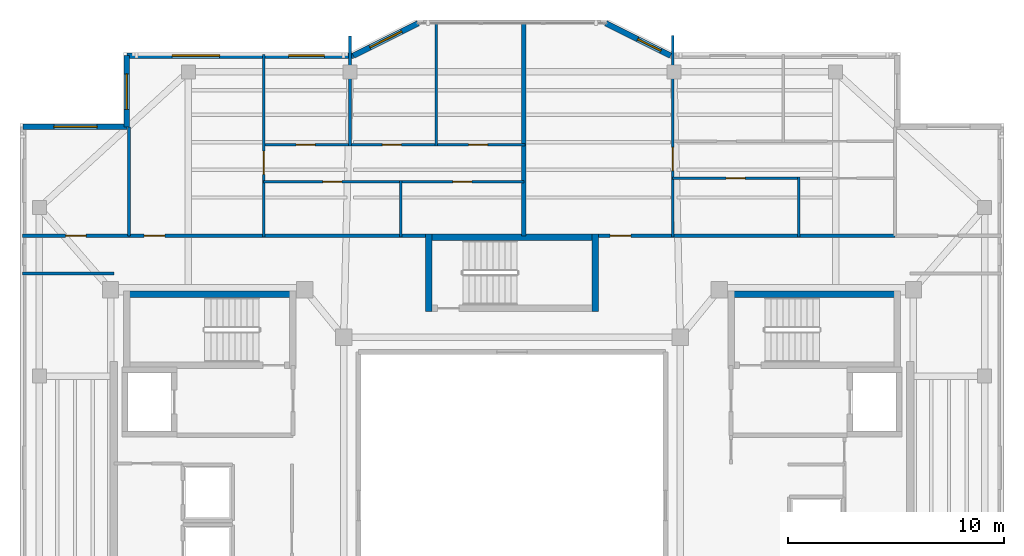
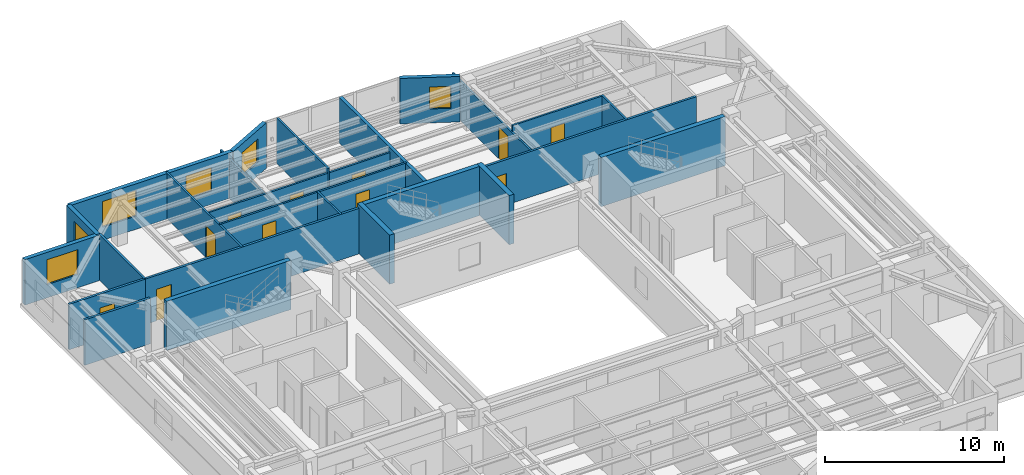
# One storey, part 9 of 13: 26 walls, 11 doors, 6 windows, 17 openings.
"""IFC4 building model written with IfcOpenShell, lengths in metres."""

from ifc_helpers import new_model, si_unit, direction, frame, frame_2d, origin, place, context, subcontext, project, spatial, rectangle, extrude, material, layer, layer_set, type_object, element, fill, save


model = new_model("IFC4")

# Units and contexts
model_context = context("Model", 3, precision=1e-05, world=origin(), true_north=direction((0.0, 1.0)))
body_context = subcontext(model_context, "Body", "Model", "MODEL_VIEW")
ifc_project = project(units=[si_unit("LENGTHUNIT", "METRE"), si_unit("AREAUNIT", "SQUARE_METRE"), si_unit("VOLUMEUNIT", "CUBIC_METRE"), si_unit("PLANEANGLEUNIT", "RADIAN"), si_unit("MASSUNIT", "GRAM", prefix="KILO")], contexts=[model_context])

# Site, building, storey
site_placement = place(None, origin())
site = spatial("IfcSite", under=ifc_project, at=site_placement, CompositionType="ELEMENT")
building_placement = place(site_placement, origin())
building = spatial("IfcBuilding", under=site, at=building_placement, Name="Tarnavaz Court Tower", CompositionType="ELEMENT")
storey_placement = place(building_placement, frame((0.0, 0.0, 251.550048828125)))
storey = spatial("IfcBuildingStorey", under=building, at=storey_placement, Name="L68", CompositionType="ELEMENT", Elevation=251.550048828125)

# Walls
ifc_material_1 = material(Name="Concrete C50/60", Category="concrete")
ifc_layer_1 = layer(ifc_material_1, 0.300048828125)
ifc_layer_set_1 = layer_set([ifc_layer_1], Name="Concrete C50/60")
wall_type_1 = type_object("IfcWallType", Name="WL-CORE-300-C50", PredefinedType="SHEAR", material=ifc_layer_set_1)
for number, where, z_axis, x_axis, name in (
    (1, (-18.0, 9.7900390625, 0.0), (0.0, 0.0, 1.0), (1.0, 0.0, 0.0), "L68 West Stair Core Wall 001"),
    (2, (10.0, 9.7900390625, 0.0), (0.0, 0.0, 1.0), (1.0, 0.0, 0.0), "L68 East Stair Core Wall 005"),
    (3, (-4.0, 12.43994140625, 0.0), (0.0, 0.0, 1.0), (1.0, 0.0, 0.0), "L68 North Stair Core Wall 009"),
):
    element("IfcWall", number, at=place(storey_placement, frame(where, z_axis=z_axis, x_axis=x_axis)), inside=storey, type_object=wall_type_1, Name=name, PredefinedType="SHEAR", context=body_context, shape_type="SweptSolid", body=[
        extrude(rectangle(XDim=8.0, YDim=0.300048828125, at=frame_2d((4.0, 0.0))), origin(), (0.0, 0.0, 1.0), 3.349853515625),
    ])
for number, where, z_axis, x_axis, name in (
    (4, (-3.85009765625, 9.0, 0.0), (0.0, 0.0, 1.0), (0.0, 1.0, 0.0), "L68 North Stair Core Wall 011"),
    (5, (3.85009765625, 9.0, 0.0), (0.0, 0.0, 1.0), (0.0, 1.0, 0.0), "L68 North Stair Core Wall 012"),
):
    element("IfcWall", number, at=place(storey_placement, frame(where, z_axis=z_axis, x_axis=x_axis)), inside=storey, type_object=wall_type_1, Name=name, PredefinedType="SHEAR", context=body_context, shape_type="SweptSolid", body=[
        extrude(rectangle(XDim=3.590087890625, YDim=0.300048828125, at=frame_2d((1.794921875, 0.0))), origin(), (0.0, 0.0, 1.0), 3.349853515625),
    ])

# Wall, opening, window
ifc_material_2 = material(Name="Precast Concrete C40/50", Category="concrete")
ifc_layer_2 = layer(ifc_material_2, 0.260009765625)
ifc_layer_set_2 = layer_set([ifc_layer_2], Name="Precast Concrete C40/50")
wall_type_2 = type_object("IfcWallType", Name="WL-EXT-260", PredefinedType="SOLIDWALL", material=ifc_layer_set_2)
wall_1_placement = place(storey_placement, frame((-22.64990234375, 17.550048828125, 0.0), z_axis=(0.0, 0.0, 1.0), x_axis=(1.0, 0.0, 0.0)))
wall_1 = element("IfcWall", 6, at=wall_1_placement, inside=storey, type_object=wall_type_2, Name="L68 Exterior Terracotta Facade Wall 03", PredefinedType="SOLIDWALL", context=body_context, shape_type="SweptSolid", body=[
    extrude(rectangle(XDim=4.7998046875, YDim=0.260009765625, at=frame_2d((2.39990234375, 0.0))), origin(), (0.0, 0.0, 1.0), 3.099853515625),
])
opening_1_placement = place(wall_1_placement, frame((1.42529296875, 0.0, 0.89990234375)))
opening_1 = element("IfcOpeningElement", 7, at=opening_1_placement, cuts=wall_1, Name="Opening W08", PredefinedType="OPENING", context=body_context, shape_type="SweptSolid", body=[
    extrude(rectangle(XDim=2.0, YDim=1.699951171875, at=frame_2d((1.0, 0.85009765625))), frame((0.0, 0.139892578125, 0.0), z_axis=(0.0, -1.0, 0.0), x_axis=(1.0, 0.0, 0.0)), (0.0, 0.0, 1.0), 0.280029296875),
])
ifc_material_3 = material(Name="Double-Glazed Solar Low-E Glass", Category="glass")
window_type_1 = type_object("IfcWindowType", Name="WN-APT-2000", PartitioningType="DOUBLE_PANEL_VERTICAL", PredefinedType="WINDOW", material=ifc_material_3)
window_1_placement = place(opening_1_placement, origin())
window_1 = element("IfcWindow", 8, at=window_1_placement, inside=storey, type_object=window_type_1, Name="L68 North-West Corner Sunroom Study Window", OverallHeight=1.699951171875, OverallWidth=2.0, PartitioningType="SINGLE_PANEL", PredefinedType="WINDOW", context=body_context, shape_type="SweptSolid", body=[
    extrude(rectangle(XDim=2.0, YDim=1.699951171875, at=frame_2d((1.0, 0.85009765625))), frame((0.0, 0.030029296875, 0.0), z_axis=(0.0, -1.0, 0.0), x_axis=(1.0, 0.0, 0.0)), (0.0, 0.0, 1.0), 0.06005859375),
])
fill(opening_1, window_1)

wall_2_placement = place(storey_placement, frame((-17.85009765625, 17.550048828125, 0.0), z_axis=(0.0, 0.0, 1.0), x_axis=(0.0, 1.0, 0.0)))
wall_2 = element("IfcWall", 9, at=wall_2_placement, inside=storey, type_object=wall_type_2, Name="L68 Exterior Terracotta Facade Wall 04", PredefinedType="SOLIDWALL", context=body_context, shape_type="SweptSolid", body=[
    extrude(rectangle(XDim=3.300048828125, YDim=0.260009765625, at=frame_2d((1.64990234375, 0.0))), origin(), (0.0, 0.0, 1.0), 3.099853515625),
])
opening_2_placement = place(wall_2_placement, frame((0.8076171875, 0.0, 0.89990234375)))
opening_2 = element("IfcOpeningElement", 10, at=opening_2_placement, cuts=wall_2, Name="Opening W02", PredefinedType="OPENING", context=body_context, shape_type="SweptSolid", body=[
    extrude(rectangle(XDim=1.64990234375, YDim=1.60009765625, at=frame_2d((0.824951171875, 0.800048828125))), frame((0.0, 0.139892578125, 0.0), z_axis=(0.0, -1.0, 0.0), x_axis=(1.0, 0.0, 0.0)), (0.0, 0.0, 1.0), 0.280029296875),
])
window_type_2 = type_object("IfcWindowType", Name="WN-APT-1650", PartitioningType="DOUBLE_PANEL_VERTICAL", PredefinedType="WINDOW", material=ifc_material_3)
window_2_placement = place(opening_2_placement, origin())
window_2 = element("IfcWindow", 11, at=window_2_placement, inside=storey, type_object=window_type_2, Name="L68 Flat 01 Living and Dining Room Window", OverallHeight=1.60009765625, OverallWidth=1.64990234375, PartitioningType="SINGLE_PANEL", PredefinedType="WINDOW", context=body_context, shape_type="SweptSolid", body=[
    extrude(rectangle(XDim=1.64990234375, YDim=1.60009765625, at=frame_2d((0.824951171875, 0.800048828125))), frame((0.0, 0.030029296875, 0.0), z_axis=(0.0, -1.0, 0.0), x_axis=(1.0, 0.0, 0.0)), (0.0, 0.0, 1.0), 0.06005859375),
])
fill(opening_2, window_2)

# Wall, openings, windows
wall_3_placement = place(storey_placement, frame((-17.85009765625, 20.85009765625, 0.0), z_axis=(0.0, 0.0, 1.0), x_axis=(1.0, 0.0, 0.0)))
wall_3 = element("IfcWall", 12, at=wall_3_placement, inside=storey, type_object=wall_type_2, Name="L68 Exterior Terracotta Facade Wall 05", PredefinedType="SOLIDWALL", context=body_context, shape_type="SweptSolid", body=[
    extrude(rectangle(XDim=10.5, YDim=0.260009765625, at=frame_2d((5.25, 0.0))), origin(), (0.0, 0.0, 1.0), 3.099853515625),
])
opening_3_placement = place(wall_3_placement, frame((2.10009765625, 0.0, 0.89990234375)))
opening_3 = element("IfcOpeningElement", 13, at=opening_3_placement, cuts=wall_3, Name="Opening W07", PredefinedType="OPENING", context=body_context, shape_type="SweptSolid", body=[
    extrude(rectangle(XDim=2.199951171875, YDim=1.75, at=frame_2d((1.10009765625, 0.875))), frame((0.0, 0.139892578125, 0.0), z_axis=(0.0, -1.0, 0.0), x_axis=(1.0, 0.0, 0.0)), (0.0, 0.0, 1.0), 0.280029296875),
])
opening_4_placement = place(wall_3_placement, frame((7.5, 0.0, 0.89990234375)))
opening_4 = element("IfcOpeningElement", 14, at=opening_4_placement, cuts=wall_3, Name="Opening W02", PredefinedType="OPENING", context=body_context, shape_type="SweptSolid", body=[
    extrude(rectangle(XDim=1.64990234375, YDim=1.60009765625, at=frame_2d((0.824951171875, 0.800048828125))), frame((0.0, 0.139892578125, 0.0), z_axis=(0.0, -1.0, 0.0), x_axis=(1.0, 0.0, 0.0)), (0.0, 0.0, 1.0), 0.280029296875),
])
window_3_placement = place(opening_4_placement, origin())
window_3 = element("IfcWindow", 15, at=window_3_placement, inside=storey, type_object=window_type_2, Name="L68 Flat 01 Principal Bedroom Window", OverallHeight=1.60009765625, OverallWidth=1.64990234375, PartitioningType="SINGLE_PANEL", PredefinedType="WINDOW", context=body_context, shape_type="SweptSolid", body=[
    extrude(rectangle(XDim=1.64990234375, YDim=1.60009765625, at=frame_2d((0.824951171875, 0.800048828125))), frame((0.0, 0.030029296875, 0.0), z_axis=(0.0, -1.0, 0.0), x_axis=(1.0, 0.0, 0.0)), (0.0, 0.0, 1.0), 0.06005859375),
])
fill(opening_4, window_3)
window_type_3 = type_object("IfcWindowType", Name="WN-APT-2200", PartitioningType="TRIPLE_PANEL_VERTICAL", PredefinedType="WINDOW", material=ifc_material_3)
window_4_placement = place(opening_3_placement, origin())
window_4 = element("IfcWindow", 16, at=window_4_placement, inside=storey, type_object=window_type_3, Name="L68 Flat 01 Living and Dining Room Window", OverallHeight=1.75, OverallWidth=2.199951171875, PartitioningType="SINGLE_PANEL", PredefinedType="WINDOW", context=body_context, shape_type="SweptSolid", body=[
    extrude(rectangle(XDim=2.199951171875, YDim=1.75, at=frame_2d((1.10009765625, 0.875))), frame((0.0, 0.030029296875, 0.0), z_axis=(0.0, -1.0, 0.0), x_axis=(1.0, 0.0, 0.0)), (0.0, 0.0, 1.0), 0.06005859375),
])
fill(opening_3, window_4)

# Wall, opening, window
wall_4_placement = place(storey_placement, frame((-7.35009765625, 20.85009765625, 0.0), z_axis=(0.0, 0.0, 1.0), x_axis=(0.894427191, 0.4472135955, 0.0)))
wall_4 = element("IfcWall", 17, at=wall_4_placement, inside=storey, type_object=wall_type_2, Name="L68 Exterior Terracotta Facade Wall 06", PredefinedType="SOLIDWALL", context=body_context, shape_type="SweptSolid", body=[
    extrude(rectangle(XDim=3.35400390625, YDim=0.260009765625, at=frame_2d((1.677001953125, 0.0))), origin(), (0.0, 0.0, 1.0), 3.099853515625),
])
opening_5_placement = place(wall_4_placement, frame((0.85205078125, 0.0, 0.89990234375)))
opening_5 = element("IfcOpeningElement", 18, at=opening_5_placement, cuts=wall_4, Name="Opening W02", PredefinedType="OPENING", context=body_context, shape_type="SweptSolid", body=[
    extrude(rectangle(XDim=1.64990234375, YDim=1.60009765625, at=frame_2d((0.824951171875, 0.800048828125))), frame((0.0, 0.139892578125, 0.0), z_axis=(0.0, -1.0, 0.0), x_axis=(1.0, 0.0, 0.0)), (0.0, 0.0, 1.0), 0.280029296875),
])
window_5_placement = place(opening_5_placement, origin())
window_5 = element("IfcWindow", 19, at=window_5_placement, inside=storey, type_object=window_type_2, Name="L68 Flat 01 Bedroom 2 Window", OverallHeight=1.60009765625, OverallWidth=1.64990234375, PartitioningType="SINGLE_PANEL", PredefinedType="WINDOW", context=body_context, shape_type="SweptSolid", body=[
    extrude(rectangle(XDim=1.64990234375, YDim=1.60009765625, at=frame_2d((0.824951171875, 0.800048828125))), frame((0.0, 0.030029296875, 0.0), z_axis=(0.0, -1.0, 0.0), x_axis=(1.0, 0.0, 0.0)), (0.0, 0.0, 1.0), 0.06005859375),
])
fill(opening_5, window_5)

wall_5_placement = place(storey_placement, frame((4.35009765625, 22.35009765625, 0.0), z_axis=(0.0, 0.0, 1.0), x_axis=(0.894427191, -0.4472135955, 0.0)))
wall_5 = element("IfcWall", 20, at=wall_5_placement, inside=storey, type_object=wall_type_2, Name="L68 Exterior Terracotta Facade Wall 08", PredefinedType="SOLIDWALL", context=body_context, shape_type="SweptSolid", body=[
    extrude(rectangle(XDim=3.35400390625, YDim=0.260009765625, at=frame_2d((1.677001953125, 0.0))), origin(), (0.0, 0.0, 1.0), 3.099853515625),
])
opening_6_placement = place(wall_5_placement, frame((1.65283203125, 0.0, 0.949951171875)))
opening_6 = element("IfcOpeningElement", 21, at=opening_6_placement, cuts=wall_5, Name="Opening W05", PredefinedType="OPENING", context=body_context, shape_type="SweptSolid", body=[
    extrude(rectangle(XDim=1.199951171875, YDim=1.5, at=frame_2d((0.60009765625, 0.75))), frame((0.0, 0.139892578125, 0.0), z_axis=(0.0, -1.0, 0.0), x_axis=(1.0, 0.0, 0.0)), (0.0, 0.0, 1.0), 0.280029296875),
])
window_type_4 = type_object("IfcWindowType", Name="WN-APT-1200", PartitioningType="SINGLE_PANEL", PredefinedType="WINDOW", material=ifc_material_3)
window_6_placement = place(opening_6_placement, origin())
window_6 = element("IfcWindow", 22, at=window_6_placement, inside=storey, type_object=window_type_4, Name="L68 Flat 02 Living and Dining Room Window", OverallHeight=1.5, OverallWidth=1.199951171875, PartitioningType="SINGLE_PANEL", PredefinedType="WINDOW", context=body_context, shape_type="SweptSolid", body=[
    extrude(rectangle(XDim=1.199951171875, YDim=1.5, at=frame_2d((0.60009765625, 0.75))), frame((0.0, 0.030029296875, 0.0), z_axis=(0.0, -1.0, 0.0), x_axis=(1.0, 0.0, 0.0)), (0.0, 0.0, 1.0), 0.06005859375),
])
fill(opening_6, window_6)

# Wall, opening, door
ifc_material_4 = material(Name="Gypsum Fire-Board on Acoustic Metal Stud", Category="masonry")
ifc_layer_3 = layer(ifc_material_4, 0.14990234375)
ifc_layer_set_3 = layer_set([ifc_layer_3], Name="Gypsum Fire-Board on Acoustic Metal Stud")
wall_type_3 = type_object("IfcWallType", Name="WL-FIRE-150", PredefinedType="PARTITIONING", material=ifc_layer_set_3)
wall_6_placement = place(storey_placement, frame((-17.75, 12.5, 0.0), z_axis=(0.0, 0.0, 1.0), x_axis=(1.0, 0.0, 0.0)))
wall_6 = element("IfcWall", 23, at=wall_6_placement, inside=storey, type_object=wall_type_3, Name="L68 NW Wing Corridor Wall 056", PredefinedType="PARTITIONING", context=body_context, shape_type="SweptSolid", body=[
    extrude(rectangle(XDim=13.89990234375, YDim=0.14990234375, at=frame_2d((6.949951171875, 0.0))), origin(), (0.0, 0.0, 1.0), 3.099853515625),
])
opening_7_placement = place(wall_6_placement, frame((0.699951171875, 0.0, 0.0)))
opening_7 = element("IfcOpeningElement", 24, at=opening_7_placement, cuts=wall_6, Name="Opening D06", PredefinedType="OPENING", context=body_context, shape_type="SweptSolid", body=[
    extrude(rectangle(XDim=0.9599609375, YDim=2.14990234375, at=frame_2d((0.47998046875, 1.074951171875))), frame((0.0, 0.0849609375, 0.0), z_axis=(0.0, -1.0, 0.0), x_axis=(1.0, 0.0, 0.0)), (0.0, 0.0, 1.0), 0.169921875),
])
ifc_material_5 = material(Name="Fire-Rated Hardwood Timber Core", Category="wood")
door_type_1 = type_object("IfcDoorType", Name="DR-FD60-950", OperationType="NOTDEFINED", PredefinedType="DOOR", material=ifc_material_5)
door_1_placement = place(opening_7_placement, origin())
door_1 = element("IfcDoor", 25, at=door_1_placement, inside=storey, type_object=door_type_1, Name="L68 Flat 01 Entrance Door", OperationType="SINGLE_SWING_RIGHT", OverallHeight=2.14990234375, OverallWidth=0.9599609375, PredefinedType="DOOR", context=body_context, shape_type="SweptSolid", body=[
    extrude(rectangle(XDim=0.9599609375, YDim=2.14990234375, at=frame_2d((0.47998046875, 1.074951171875))), frame((0.0, 0.02490234375, 0.0), z_axis=(0.0, -1.0, 0.0), x_axis=(1.0, 0.0, 0.0)), (0.0, 0.0, 1.0), 0.050048828125),
])
fill(opening_7, door_1)

wall_7_placement = place(storey_placement, frame((3.85009765625, 12.5, 0.0), z_axis=(0.0, 0.0, 1.0), x_axis=(1.0, 0.0, 0.0)))
wall_7 = element("IfcWall", 26, at=wall_7_placement, inside=storey, type_object=wall_type_3, Name="L68 NE Wing Corridor Wall 057", PredefinedType="PARTITIONING", context=body_context, shape_type="SweptSolid", body=[
    extrude(rectangle(XDim=13.89990234375, YDim=0.14990234375, at=frame_2d((6.949951171875, 0.0))), origin(), (0.0, 0.0, 1.0), 3.099853515625),
])
opening_8_placement = place(wall_7_placement, frame((0.699951171875, 0.0, 0.0)))
opening_8 = element("IfcOpeningElement", 27, at=opening_8_placement, cuts=wall_7, Name="Opening D06", PredefinedType="OPENING", context=body_context, shape_type="SweptSolid", body=[
    extrude(rectangle(XDim=0.9599609375, YDim=2.14990234375, at=frame_2d((0.47998046875, 1.074951171875))), frame((0.0, 0.0849609375, 0.0), z_axis=(0.0, -1.0, 0.0), x_axis=(1.0, 0.0, 0.0)), (0.0, 0.0, 1.0), 0.169921875),
])
door_2_placement = place(opening_8_placement, origin())
door_2 = element("IfcDoor", 28, at=door_2_placement, inside=storey, type_object=door_type_1, Name="L68 Flat 02 Entrance Door", OperationType="SINGLE_SWING_LEFT", OverallHeight=2.14990234375, OverallWidth=0.9599609375, PredefinedType="DOOR", context=body_context, shape_type="SweptSolid", body=[
    extrude(rectangle(XDim=0.9599609375, YDim=2.14990234375, at=frame_2d((0.47998046875, 1.074951171875))), frame((0.0, 0.02490234375, 0.0), z_axis=(0.0, -1.0, 0.0), x_axis=(1.0, 0.0, 0.0)), (0.0, 0.0, 1.0), 0.050048828125),
])
fill(opening_8, door_2)

# Wall
wall_8_placement = place(storey_placement, frame((-22.679931640625, 10.75, 0.0), z_axis=(0.0, 0.0, 1.0), x_axis=(1.0, 0.0, 0.0)))
element("IfcWall", 29, at=wall_8_placement, inside=storey, type_object=wall_type_3, Name="L68 Interior Partition 089", PredefinedType="PARTITIONING", context=body_context, shape_type="SweptSolid", body=[
    extrude(rectangle(XDim=4.22998046875, YDim=0.14990234375, at=frame_2d((2.114990234375, 0.0))), origin(), (0.0, 0.0, 1.0), 3.099853515625),
])

# Wall, opening, door
wall_9_placement = place(storey_placement, frame((-22.679931640625, 12.5, 0.0), z_axis=(0.0, 0.0, 1.0), x_axis=(1.0, 0.0, 0.0)))
wall_9 = element("IfcWall", 30, at=wall_9_placement, inside=storey, type_object=wall_type_3, Name="L68 Interior Partition 096", PredefinedType="PARTITIONING", context=body_context, shape_type="SweptSolid", body=[
    extrude(rectangle(XDim=4.929931640625, YDim=0.14990234375, at=frame_2d((2.46484375, 0.0))), origin(), (0.0, 0.0, 1.0), 3.099853515625),
])
opening_9_placement = place(wall_9_placement, frame((1.989990234375, 0.0, 0.0)))
opening_9 = element("IfcOpeningElement", 31, at=opening_9_placement, cuts=wall_9, Name="Opening D13", PredefinedType="OPENING", context=body_context, shape_type="SweptSolid", body=[
    extrude(rectangle(XDim=0.949951171875, YDim=2.14990234375, at=frame_2d((0.47509765625, 1.074951171875))), frame((0.0, 0.0849609375, 0.0), z_axis=(0.0, -1.0, 0.0), x_axis=(1.0, 0.0, 0.0)), (0.0, 0.0, 1.0), 0.169921875),
])
ifc_material_6 = material(Name="Engineered Oak Timber", Category="wood")
door_type_2 = type_object("IfcDoorType", Name="DR-INT-950", OperationType="NOTDEFINED", PredefinedType="DOOR", material=ifc_material_6)
door_3_placement = place(opening_9_placement, origin())
door_3 = element("IfcDoor", 32, at=door_3_placement, inside=storey, type_object=door_type_2, Name="L68 NW Sunroom Door", OperationType="SINGLE_SWING_RIGHT", OverallHeight=2.14990234375, OverallWidth=0.949951171875, PredefinedType="DOOR", context=body_context, shape_type="SweptSolid", body=[
    extrude(rectangle(XDim=0.949951171875, YDim=2.14990234375, at=frame_2d((0.47509765625, 1.074951171875))), frame((0.0, 0.02490234375, 0.0), z_axis=(0.0, -1.0, 0.0), x_axis=(1.0, 0.0, 0.0)), (0.0, 0.0, 1.0), 0.050048828125),
])
fill(opening_9, door_3)

# Wall
ifc_material_7 = material(Name="Autoclaved Aerated Concrete Blockwork", Category="masonry")
ifc_layer_4 = layer(ifc_material_7, 0.199951171875)
ifc_layer_set_4 = layer_set([ifc_layer_4], Name="Autoclaved Aerated Concrete Blockwork")
wall_type_4 = type_object("IfcWallType", Name="WL-FIRE-200", PredefinedType="SOLIDWALL", material=ifc_layer_set_4)
wall_10_placement = place(storey_placement, frame((0.550048828125, 12.5, 0.0), z_axis=(0.0, 0.0, 1.0), x_axis=(0.0, 1.0, 0.0)))
element("IfcWall", 33, at=wall_10_placement, inside=storey, type_object=wall_type_4, Name="L68 North Center Party Wall 060", PredefinedType="SOLIDWALL", context=body_context, shape_type="SweptSolid", body=[
    extrude(rectangle(XDim=9.8798828125, YDim=0.199951171875, at=frame_2d((4.93994140625, 0.0))), origin(), (0.0, 0.0, 1.0), 3.099853515625),
])

# Wall, opening, door
ifc_material_8 = material(Name="Moisture-Resistant Gypsum Board Partition", Category="masonry")
ifc_layer_5 = layer(ifc_material_8, 0.1201171875)
ifc_layer_set_5 = layer_set([ifc_layer_5], Name="Moisture-Resistant Gypsum Board Partition")
wall_type_5 = type_object("IfcWallType", Name="WL-PART-120", PredefinedType="PARTITIONING", material=ifc_layer_set_5)
wall_11_placement = place(storey_placement, frame((-11.509033203125, 12.43994140625, 0.0), z_axis=(0.0, 0.0, 1.0), x_axis=(0.0, 1.0, 0.0)))
wall_11 = element("IfcWall", 34, at=wall_11_placement, inside=storey, type_object=wall_type_5, Name="L68 Interior Partition 061", PredefinedType="PARTITIONING", context=body_context, shape_type="SweptSolid", body=[
    extrude(rectangle(XDim=8.4599609375, YDim=0.1201171875, at=frame_2d((4.22998046875, 0.0))), origin(), (0.0, 0.0, 1.0), 3.099853515625),
])
opening_10_placement = place(wall_11_placement, frame((2.905029296875, 0.0, 0.0)))
opening_10 = element("IfcOpeningElement", 35, at=opening_10_placement, cuts=wall_11, Name="Opening D12", PredefinedType="OPENING", context=body_context, shape_type="SweptSolid", body=[
    extrude(rectangle(XDim=1.080078125, YDim=2.14990234375, at=frame_2d((0.5400390625, 1.074951171875))), frame((0.0, 0.070068359375, 0.0), z_axis=(0.0, -1.0, 0.0), x_axis=(1.0, 0.0, 0.0)), (0.0, 0.0, 1.0), 0.14013671875),
])
door_type_3 = type_object("IfcDoorType", Name="DR-INT-1100", OperationType="NOTDEFINED", PredefinedType="DOOR", material=ifc_material_6)
door_4_placement = place(opening_10_placement, origin())
door_4 = element("IfcDoor", 36, at=door_4_placement, inside=storey, type_object=door_type_3, Name="L68 Flat 01 Foyer Door", OperationType="SINGLE_SWING_LEFT", OverallHeight=2.14990234375, OverallWidth=1.080078125, PredefinedType="DOOR", context=body_context, shape_type="SweptSolid", body=[
    extrude(rectangle(XDim=1.080078125, YDim=2.14990234375, at=frame_2d((0.5400390625, 1.074951171875))), frame((0.0, 0.02490234375, 0.0), z_axis=(0.0, -1.0, 0.0), x_axis=(1.0, 0.0, 0.0)), (0.0, 0.0, 1.0), 0.050048828125),
])
fill(opening_10, door_4)

wall_12_placement = place(storey_placement, frame((-11.509033203125, 15.0, 0.0), z_axis=(0.0, 0.0, 1.0), x_axis=(1.0, 0.0, 0.0)))
wall_12 = element("IfcWall", 37, at=wall_12_placement, inside=storey, type_object=wall_type_5, Name="L68 Interior Partition 062", PredefinedType="PARTITIONING", context=body_context, shape_type="SweptSolid", body=[
    extrude(rectangle(XDim=6.359130859375, YDim=0.1201171875, at=frame_2d((3.1796875, 0.0))), origin(), (0.0, 0.0, 1.0), 3.099853515625),
])
opening_11_placement = place(wall_12_placement, frame((2.739990234375, 0.0, 0.0)))
opening_11 = element("IfcOpeningElement", 38, at=opening_11_placement, cuts=wall_12, Name="Opening D14", PredefinedType="OPENING", context=body_context, shape_type="SweptSolid", body=[
    extrude(rectangle(XDim=0.8798828125, YDim=2.10009765625, at=frame_2d((0.43994140625, 1.050048828125))), frame((0.0, 0.070068359375, 0.0), z_axis=(0.0, -1.0, 0.0), x_axis=(1.0, 0.0, 0.0)), (0.0, 0.0, 1.0), 0.14013671875),
])
door_type_4 = type_object("IfcDoorType", Name="DR-INT-900", OperationType="NOTDEFINED", PredefinedType="DOOR", material=ifc_material_6)
door_5_placement = place(opening_11_placement, origin())
door_5 = element("IfcDoor", 39, at=door_5_placement, inside=storey, type_object=door_type_4, Name="L68 Flat 01 Kitchen Door", OperationType="SINGLE_SWING_RIGHT", OverallHeight=2.10009765625, OverallWidth=0.8798828125, PredefinedType="DOOR", context=body_context, shape_type="SweptSolid", body=[
    extrude(rectangle(XDim=0.8798828125, YDim=2.10009765625, at=frame_2d((0.43994140625, 1.050048828125))), frame((0.0, 0.02490234375, 0.0), z_axis=(0.0, -1.0, 0.0), x_axis=(1.0, 0.0, 0.0)), (0.0, 0.0, 1.0), 0.050048828125),
])
fill(opening_11, door_5)

wall_13_placement = place(storey_placement, frame((-5.14990234375, 15.0, 0.0), z_axis=(0.0, 0.0, 1.0), x_axis=(1.0, 0.0, 0.0)))
wall_13 = element("IfcWall", 40, at=wall_13_placement, inside=storey, type_object=wall_type_5, Name="L68 Interior Partition 063", PredefinedType="PARTITIONING", context=body_context, shape_type="SweptSolid", body=[
    extrude(rectangle(XDim=5.699951171875, YDim=0.1201171875, at=frame_2d((2.85009765625, 0.0))), origin(), (0.0, 0.0, 1.0), 3.099853515625),
])
opening_12_placement = place(wall_13_placement, frame((2.409912109375, 0.0, 0.0)))
opening_12 = element("IfcOpeningElement", 41, at=opening_12_placement, cuts=wall_13, Name="Opening D14", PredefinedType="OPENING", context=body_context, shape_type="SweptSolid", body=[
    extrude(rectangle(XDim=0.8798828125, YDim=2.10009765625, at=frame_2d((0.43994140625, 1.050048828125))), frame((0.0, 0.070068359375, 0.0), z_axis=(0.0, -1.0, 0.0), x_axis=(1.0, 0.0, 0.0)), (0.0, 0.0, 1.0), 0.14013671875),
])
door_6_placement = place(opening_12_placement, origin())
door_6 = element("IfcDoor", 42, at=door_6_placement, inside=storey, type_object=door_type_4, Name="L68 Flat 01 Bathroom Door", OperationType="SINGLE_SWING_LEFT", OverallHeight=2.10009765625, OverallWidth=0.8798828125, PredefinedType="DOOR", context=body_context, shape_type="SweptSolid", body=[
    extrude(rectangle(XDim=0.8798828125, YDim=2.10009765625, at=frame_2d((0.43994140625, 1.050048828125))), frame((0.0, 0.02490234375, 0.0), z_axis=(0.0, -1.0, 0.0), x_axis=(1.0, 0.0, 0.0)), (0.0, 0.0, 1.0), 0.050048828125),
])
fill(opening_12, door_6)

# Wall, openings, doors
wall_14_placement = place(storey_placement, frame((-11.569091796875, 16.7099609375, 0.0), z_axis=(0.0, 0.0, 1.0), x_axis=(1.0, 0.0, 0.0)))
wall_14 = element("IfcWall", 43, at=wall_14_placement, inside=storey, type_object=wall_type_5, Name="L68 Interior Partition 064", PredefinedType="PARTITIONING", context=body_context, shape_type="SweptSolid", body=[
    extrude(rectangle(XDim=12.17919921875, YDim=0.1201171875, at=frame_2d((6.089599609375, 0.0))), origin(), (0.0, 0.0, 1.0), 2.784912109375),
])
opening_13_placement = place(wall_14_placement, frame((1.56005859375, 0.0, 0.0)))
opening_13 = element("IfcOpeningElement", 44, at=opening_13_placement, cuts=wall_14, Name="Opening D14", PredefinedType="OPENING", context=body_context, shape_type="SweptSolid", body=[
    extrude(rectangle(XDim=0.8798828125, YDim=2.10009765625, at=frame_2d((0.43994140625, 1.050048828125))), frame((0.0, 0.070068359375, 0.0), z_axis=(0.0, -1.0, 0.0), x_axis=(1.0, 0.0, 0.0)), (0.0, 0.0, 1.0), 0.14013671875),
])
opening_14_placement = place(wall_14_placement, frame((5.55908203125, 0.0, 0.0)))
opening_14 = element("IfcOpeningElement", 45, at=opening_14_placement, cuts=wall_14, Name="Opening D14", PredefinedType="OPENING", context=body_context, shape_type="SweptSolid", body=[
    extrude(rectangle(XDim=0.8798828125, YDim=2.10009765625, at=frame_2d((0.43994140625, 1.050048828125))), frame((0.0, 0.070068359375, 0.0), z_axis=(0.0, -1.0, 0.0), x_axis=(1.0, 0.0, 0.0)), (0.0, 0.0, 1.0), 0.14013671875),
])
opening_15_placement = place(wall_14_placement, frame((9.55908203125, 0.0, 0.0)))
opening_15 = element("IfcOpeningElement", 46, at=opening_15_placement, cuts=wall_14, Name="Opening D14", PredefinedType="OPENING", context=body_context, shape_type="SweptSolid", body=[
    extrude(rectangle(XDim=0.8798828125, YDim=2.10009765625, at=frame_2d((0.43994140625, 1.050048828125))), frame((0.0, 0.070068359375, 0.0), z_axis=(0.0, -1.0, 0.0), x_axis=(1.0, 0.0, 0.0)), (0.0, 0.0, 1.0), 0.14013671875),
])
door_7_placement = place(opening_13_placement, origin())
door_7 = element("IfcDoor", 47, at=door_7_placement, inside=storey, type_object=door_type_4, Name="L68 Flat 01 Bedroom 1 Door", OperationType="SINGLE_SWING_RIGHT", OverallHeight=2.10009765625, OverallWidth=0.8798828125, PredefinedType="DOOR", context=body_context, shape_type="SweptSolid", body=[
    extrude(rectangle(XDim=0.8798828125, YDim=2.10009765625, at=frame_2d((0.43994140625, 1.050048828125))), frame((0.0, 0.02490234375, 0.0), z_axis=(0.0, -1.0, 0.0), x_axis=(1.0, 0.0, 0.0)), (0.0, 0.0, 1.0), 0.050048828125),
])
fill(opening_13, door_7)
door_8_placement = place(opening_14_placement, origin())
door_8 = element("IfcDoor", 48, at=door_8_placement, inside=storey, type_object=door_type_4, Name="L68 Flat 01 Bedroom 2 Door", OperationType="SINGLE_SWING_LEFT", OverallHeight=2.10009765625, OverallWidth=0.8798828125, PredefinedType="DOOR", context=body_context, shape_type="SweptSolid", body=[
    extrude(rectangle(XDim=0.8798828125, YDim=2.10009765625, at=frame_2d((0.43994140625, 1.050048828125))), frame((0.0, 0.02490234375, 0.0), z_axis=(0.0, -1.0, 0.0), x_axis=(1.0, 0.0, 0.0)), (0.0, 0.0, 1.0), 0.050048828125),
])
fill(opening_14, door_8)
door_9_placement = place(opening_15_placement, origin())
door_9 = element("IfcDoor", 49, at=door_9_placement, inside=storey, type_object=door_type_4, Name="L68 Flat 01 Bedroom 3 Door", OperationType="SINGLE_SWING_RIGHT", OverallHeight=2.10009765625, OverallWidth=0.8798828125, PredefinedType="DOOR", context=body_context, shape_type="SweptSolid", body=[
    extrude(rectangle(XDim=0.8798828125, YDim=2.10009765625, at=frame_2d((0.43994140625, 1.050048828125))), frame((0.0, 0.02490234375, 0.0), z_axis=(0.0, -1.0, 0.0), x_axis=(1.0, 0.0, 0.0)), (0.0, 0.0, 1.0), 0.050048828125),
])
fill(opening_15, door_9)

# Walls
wall_15_placement = place(storey_placement, frame((-5.14990234375, 12.43994140625, 0.0), z_axis=(0.0, 0.0, 1.0), x_axis=(0.0, 1.0, 0.0)))
element("IfcWall", 50, at=wall_15_placement, inside=storey, type_object=wall_type_5, Name="L68 Interior Partition 065", PredefinedType="PARTITIONING", context=body_context, shape_type="SweptSolid", body=[
    extrude(rectangle(XDim=2.6201171875, YDim=0.1201171875, at=frame_2d((1.31005859375, 0.0))), origin(), (0.0, 0.0, 1.0), 3.099853515625),
])
wall_16_placement = place(storey_placement, frame((-7.509033203125, 16.64990234375, 0.0), z_axis=(0.0, 0.0, 1.0), x_axis=(0.0, 1.0, 0.0)))
element("IfcWall", 51, at=wall_16_placement, inside=storey, type_object=wall_type_5, Name="L68 Interior Partition 066", PredefinedType="PARTITIONING", context=body_context, shape_type="SweptSolid", body=[
    extrude(rectangle(XDim=5.111083984375, YDim=0.1201171875, at=frame_2d((2.5556640625, 0.0))), origin(), (0.0, 0.0, 1.0), 2.68505859375),
])
wall_17_placement = place(storey_placement, frame((-3.510009765625, 16.64990234375, 0.0), z_axis=(0.0, 0.0, 1.0), x_axis=(0.0, 1.0, 0.0)))
element("IfcWall", 52, at=wall_17_placement, inside=storey, type_object=wall_type_5, Name="L68 Interior Partition 067", PredefinedType="PARTITIONING", context=body_context, shape_type="SweptSolid", body=[
    extrude(rectangle(XDim=5.72998046875, YDim=0.1201171875, at=frame_2d((2.864990234375, 0.0))), origin(), (0.0, 0.0, 1.0), 3.099853515625),
])

# Wall, opening, door
wall_18_placement = place(storey_placement, frame((7.44189453125, 12.43994140625, 0.0), z_axis=(0.0, 0.0, 1.0), x_axis=(0.0, 1.0, 0.0)))
wall_18 = element("IfcWall", 53, at=wall_18_placement, inside=storey, type_object=wall_type_5, Name="L68 Interior Partition 068", PredefinedType="PARTITIONING", context=body_context, shape_type="SweptSolid", body=[
    extrude(rectangle(XDim=9.338134765625, YDim=0.1201171875, at=frame_2d((4.6689453125, 0.0))), origin(), (0.0, 0.0, 1.0), 2.68505859375),
])
opening_16_placement = place(wall_18_placement, frame((3.074951171875, 0.0, 0.0)))
opening_16 = element("IfcOpeningElement", 54, at=opening_16_placement, cuts=wall_18, Name="Opening D12", PredefinedType="OPENING", context=body_context, shape_type="SweptSolid", body=[
    extrude(rectangle(XDim=1.080078125, YDim=2.14990234375, at=frame_2d((0.5400390625, 1.074951171875))), frame((0.0, 0.070068359375, 0.0), z_axis=(0.0, -1.0, 0.0), x_axis=(1.0, 0.0, 0.0)), (0.0, 0.0, 1.0), 0.14013671875),
])
door_10_placement = place(opening_16_placement, origin())
door_10 = element("IfcDoor", 55, at=door_10_placement, inside=storey, type_object=door_type_3, Name="L68 Flat 02 Foyer Door", OperationType="SINGLE_SWING_RIGHT", OverallHeight=2.14990234375, OverallWidth=1.080078125, PredefinedType="DOOR", context=body_context, shape_type="SweptSolid", body=[
    extrude(rectangle(XDim=1.080078125, YDim=2.14990234375, at=frame_2d((0.5400390625, 1.074951171875))), frame((0.0, 0.02490234375, 0.0), z_axis=(0.0, -1.0, 0.0), x_axis=(1.0, 0.0, 0.0)), (0.0, 0.0, 1.0), 0.050048828125),
])
fill(opening_16, door_10)

wall_19_placement = place(storey_placement, frame((7.44189453125, 15.169921875, 0.0), z_axis=(0.0, 0.0, 1.0), x_axis=(1.0, 0.0, 0.0)))
wall_19 = element("IfcWall", 56, at=wall_19_placement, inside=storey, type_object=wall_type_5, Name="L68 Interior Partition 069", PredefinedType="PARTITIONING", context=body_context, shape_type="SweptSolid", body=[
    extrude(rectangle(XDim=5.841064453125, YDim=0.1201171875, at=frame_2d((2.92041015625, 0.0))), origin(), (0.0, 0.0, 1.0), 3.099853515625),
])
opening_17_placement = place(wall_19_placement, frame((2.47998046875, 0.0, 0.0)))
opening_17 = element("IfcOpeningElement", 57, at=opening_17_placement, cuts=wall_19, Name="Opening D14", PredefinedType="OPENING", context=body_context, shape_type="SweptSolid", body=[
    extrude(rectangle(XDim=0.8798828125, YDim=2.10009765625, at=frame_2d((0.43994140625, 1.050048828125))), frame((0.0, 0.070068359375, 0.0), z_axis=(0.0, -1.0, 0.0), x_axis=(1.0, 0.0, 0.0)), (0.0, 0.0, 1.0), 0.14013671875),
])
door_11_placement = place(opening_17_placement, origin())
door_11 = element("IfcDoor", 58, at=door_11_placement, inside=storey, type_object=door_type_4, Name="L68 Flat 02 Kitchen Door", OperationType="SINGLE_SWING_LEFT", OverallHeight=2.10009765625, OverallWidth=0.8798828125, PredefinedType="DOOR", context=body_context, shape_type="SweptSolid", body=[
    extrude(rectangle(XDim=0.8798828125, YDim=2.10009765625, at=frame_2d((0.43994140625, 1.050048828125))), frame((0.0, 0.02490234375, 0.0), z_axis=(0.0, -1.0, 0.0), x_axis=(1.0, 0.0, 0.0)), (0.0, 0.0, 1.0), 0.050048828125),
])
fill(opening_17, door_11)

# Walls
wall_20_placement = place(storey_placement, frame((13.282958984375, 12.43994140625, 0.0), z_axis=(0.0, 0.0, 1.0), x_axis=(0.0, 1.0, 0.0)))
element("IfcWall", 59, at=wall_20_placement, inside=storey, type_object=wall_type_5, Name="L68 Interior Partition 072", PredefinedType="PARTITIONING", context=body_context, shape_type="SweptSolid", body=[
    extrude(rectangle(XDim=2.7900390625, YDim=0.1201171875, at=frame_2d((1.39501953125, 0.0))), origin(), (0.0, 0.0, 1.0), 3.099853515625),
])
ifc_material_9 = material(Name="Gypsum Plasterboard Acoustic Partition", Category="masonry")
ifc_layer_6 = layer(ifc_material_9, 0.139892578125)
ifc_layer_set_6 = layer_set([ifc_layer_6], Name="Gypsum Plasterboard Acoustic Partition")
wall_type_6 = type_object("IfcWallType", Name="WL-PART-150", PredefinedType="PARTITIONING", material=ifc_layer_set_6)
wall_21_placement = place(storey_placement, frame((-17.75, 12.5, 0.0), z_axis=(0.0, 0.0, 1.0), x_axis=(0.0, 1.0, 0.0)))
element("IfcWall", 60, at=wall_21_placement, inside=storey, type_object=wall_type_6, Name="L68 Interior Partition 094", PredefinedType="PARTITIONING", context=body_context, shape_type="SweptSolid", body=[
    extrude(rectangle(XDim=5.050048828125, YDim=0.139892578125, at=frame_2d((2.52490234375, 0.0))), origin(), (0.0, 0.0, 1.0), 3.099853515625),
])

save(model, "model.ifc")
